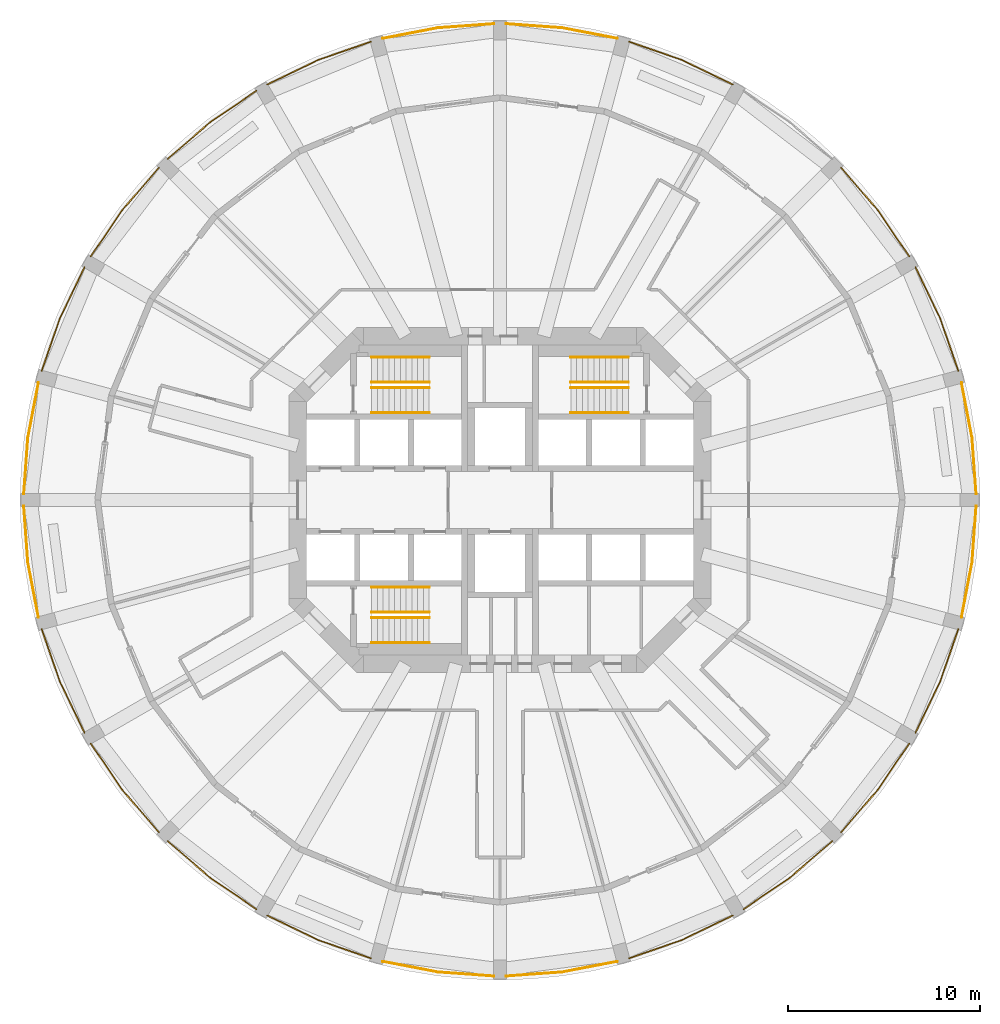
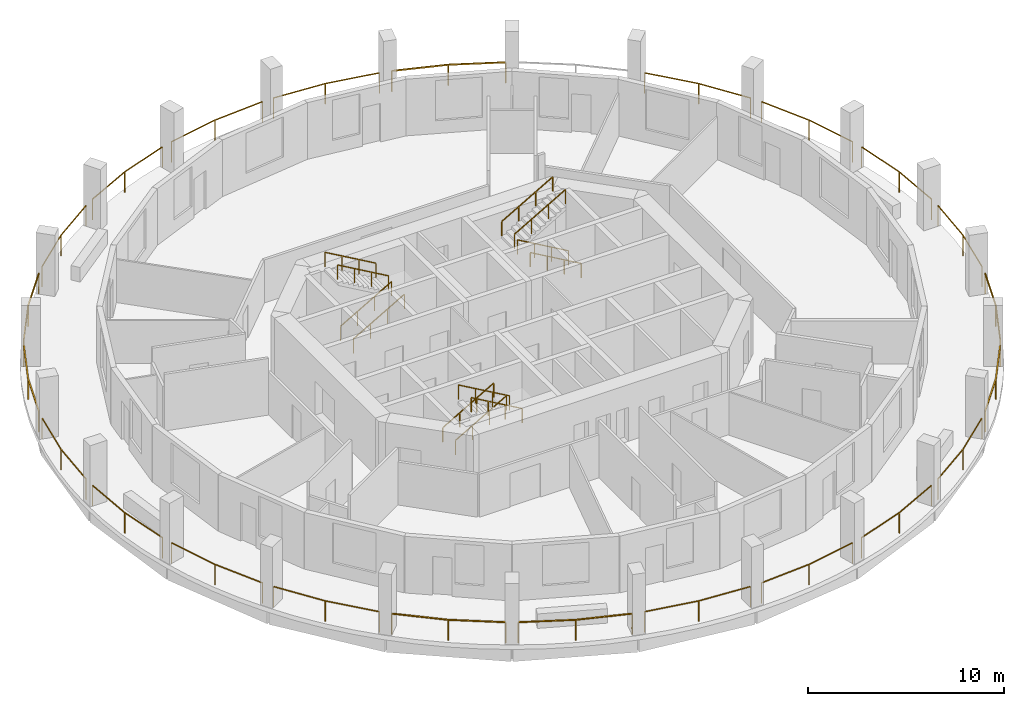
# One storey, part 7 of 8: 35 railings.
"""IFC4 building model written with IfcOpenShell, lengths in metres."""

from ifc_helpers import new_model, si_unit, direction, frame, origin, origin_2d, place, context, subcontext, project, spatial, rectangle, extrude, material, type_object, element, save


model = new_model("IFC4")

# Units and contexts
model_context = context("Model", 3, precision=1e-05, world=origin(), true_north=direction((0.0, 1.0)))
body_context = subcontext(model_context, "Body", "Model", "MODEL_VIEW")
ifc_project = project(units=[si_unit("LENGTHUNIT", "METRE"), si_unit("AREAUNIT", "SQUARE_METRE"), si_unit("VOLUMEUNIT", "CUBIC_METRE"), si_unit("PLANEANGLEUNIT", "RADIAN"), si_unit("MASSUNIT", "GRAM", prefix="KILO")], contexts=[model_context])

# Site, building, storey
site_placement = place(None, origin())
site = spatial("IfcSite", under=ifc_project, at=site_placement, CompositionType="ELEMENT")
building_placement = place(site_placement, origin())
building = spatial("IfcBuilding", under=site, at=building_placement, Name="Torre Triforio", CompositionType="ELEMENT")
storey_placement = place(building_placement, frame((0.0, 0.0, 120.0)))
storey = spatial("IfcBuildingStorey", under=building, at=storey_placement, Name="L26", CompositionType="ELEMENT", Elevation=120.0)

# Railings
ifc_material = material(Name="Stainless steel AISI 316", Category="steel")
railing_type_1 = type_object("IfcRailingType", Name="HANDRAIL 920", PredefinedType="HANDRAIL", material=ifc_material)
for number, where, name in (
    (1, (-6.699951171875, 4.550048828125, 0.172607421875), "Handrail ST1"),
    (2, (-6.699951171875, 5.85009765625, 0.172607421875), "Handrail ST1"),
):
    element("IfcRailing", number, at=place(storey_placement, frame(where)), inside=storey, type_object=railing_type_1, Name=name, PredefinedType="HANDRAIL", context=body_context, shape_type="SweptSolid", body=[
        extrude(rectangle(XDim=0.048095703125, YDim=0.048095703125, at=origin_2d()), frame((0.0, 0.0, 0.89599609375), z_axis=(0.866619684472, 0.0, 0.498969260062), x_axis=(0.0, 1.0, 0.0)), (0.0, 0.0, 1.0), 3.461669921875),
        extrude(rectangle(XDim=0.0419921875, YDim=0.0419921875, at=origin_2d()), origin(), (0.0, 0.0, 1.0), 0.871826171875),
        extrude(rectangle(XDim=0.0419921875, YDim=0.0419921875, at=origin_2d()), frame((1.0, 0.0, 0.57568359375)), (0.0, 0.0, 1.0), 0.871826171875),
        extrude(rectangle(XDim=0.0419921875, YDim=0.0419921875, at=origin_2d()), frame((2.0, 0.0, 1.151611328125)), (0.0, 0.0, 1.0), 0.871826171875),
        extrude(rectangle(XDim=0.0419921875, YDim=0.0419921875, at=origin_2d()), frame((3.0, 0.0, 1.727294921875)), (0.0, 0.0, 1.0), 0.871826171875),
    ])
for number, where, name in (
    (3, (-3.699951171875, 7.449951171875, 2.07275390625), "Handrail ST1"),
    (4, (-3.699951171875, 6.14990234375, 2.07275390625), "Handrail ST1"),
    (5, (6.699951171875, 4.550048828125, 0.172607421875), "Handrail ST2"),
    (6, (6.699951171875, 5.85009765625, 0.172607421875), "Handrail ST2"),
):
    element("IfcRailing", number, at=place(storey_placement, frame(where)), inside=storey, type_object=railing_type_1, Name=name, PredefinedType="HANDRAIL", context=body_context, shape_type="SweptSolid", body=[
        extrude(rectangle(XDim=0.048095703125, YDim=0.048095703125, at=origin_2d()), frame((0.0, 0.0, 0.89599609375), z_axis=(-0.866619684472, 0.0, 0.498969260062), x_axis=(0.0, -1.0, 0.0)), (0.0, 0.0, 1.0), 3.461669921875),
        extrude(rectangle(XDim=0.0419921875, YDim=0.0419921875, at=origin_2d()), origin(), (0.0, 0.0, 1.0), 0.871826171875),
        extrude(rectangle(XDim=0.0419921875, YDim=0.0419921875, at=origin_2d()), frame((-1.0, 0.0, 0.57568359375)), (0.0, 0.0, 1.0), 0.871826171875),
        extrude(rectangle(XDim=0.0419921875, YDim=0.0419921875, at=origin_2d()), frame((-2.0, 0.0, 1.151611328125)), (0.0, 0.0, 1.0), 0.871826171875),
        extrude(rectangle(XDim=0.0419921875, YDim=0.0419921875, at=origin_2d()), frame((-3.0, 0.0, 1.727294921875)), (0.0, 0.0, 1.0), 0.871826171875),
    ])
for number, where, name in (
    (7, (3.699951171875, 7.449951171875, 2.07275390625), "Handrail ST2"),
    (8, (3.699951171875, 6.14990234375, 2.07275390625), "Handrail ST2"),
    (9, (-6.699951171875, -4.550048828125, 0.172607421875), "Handrail ST3"),
    (10, (-6.699951171875, -5.85009765625, 0.172607421875), "Handrail ST3"),
):
    element("IfcRailing", number, at=place(storey_placement, frame(where)), inside=storey, type_object=railing_type_1, Name=name, PredefinedType="HANDRAIL", context=body_context, shape_type="SweptSolid", body=[
        extrude(rectangle(XDim=0.048095703125, YDim=0.048095703125, at=origin_2d()), frame((0.0, 0.0, 0.89599609375), z_axis=(0.866619684472, 0.0, 0.498969260062), x_axis=(0.0, 1.0, 0.0)), (0.0, 0.0, 1.0), 3.461669921875),
        extrude(rectangle(XDim=0.0419921875, YDim=0.0419921875, at=origin_2d()), origin(), (0.0, 0.0, 1.0), 0.871826171875),
        extrude(rectangle(XDim=0.0419921875, YDim=0.0419921875, at=origin_2d()), frame((1.0, 0.0, 0.57568359375)), (0.0, 0.0, 1.0), 0.871826171875),
        extrude(rectangle(XDim=0.0419921875, YDim=0.0419921875, at=origin_2d()), frame((2.0, 0.0, 1.151611328125)), (0.0, 0.0, 1.0), 0.871826171875),
        extrude(rectangle(XDim=0.0419921875, YDim=0.0419921875, at=origin_2d()), frame((3.0, 0.0, 1.727294921875)), (0.0, 0.0, 1.0), 0.871826171875),
    ])
for number, where, name in (
    (11, (-3.699951171875, -7.449951171875, 2.07275390625), "Handrail ST3"),
    (12, (-3.699951171875, -6.14990234375, 2.07275390625), "Handrail ST3"),
):
    element("IfcRailing", number, at=place(storey_placement, frame(where)), inside=storey, type_object=railing_type_1, Name=name, PredefinedType="HANDRAIL", context=body_context, shape_type="SweptSolid", body=[
        extrude(rectangle(XDim=0.048095703125, YDim=0.048095703125, at=origin_2d()), frame((0.0, 0.0, 0.89599609375), z_axis=(-0.866619684472, 0.0, 0.498969260062), x_axis=(0.0, -1.0, 0.0)), (0.0, 0.0, 1.0), 3.461669921875),
        extrude(rectangle(XDim=0.0419921875, YDim=0.0419921875, at=origin_2d()), origin(), (0.0, 0.0, 1.0), 0.871826171875),
        extrude(rectangle(XDim=0.0419921875, YDim=0.0419921875, at=origin_2d()), frame((-1.0, 0.0, 0.57568359375)), (0.0, 0.0, 1.0), 0.871826171875),
        extrude(rectangle(XDim=0.0419921875, YDim=0.0419921875, at=origin_2d()), frame((-2.0, 0.0, 1.151611328125)), (0.0, 0.0, 1.0), 0.871826171875),
        extrude(rectangle(XDim=0.0419921875, YDim=0.0419921875, at=origin_2d()), frame((-3.0, 0.0, 1.727294921875)), (0.0, 0.0, 1.0), 0.871826171875),
    ])
railing_type_2 = type_object("IfcRailingType", Name="Loggia guard 1300", PredefinedType="GUARDRAIL", material=ifc_material)
railing_1_placement = place(storey_placement, frame((24.85009765625, 0.320068359375, 0.0)))
element("IfcRailing", 13, at=railing_1_placement, inside=storey, type_object=railing_type_2, Name="Loggia guard L26 bay 01", PredefinedType="GUARDRAIL", context=body_context, shape_type="SweptSolid", body=[
    extrude(rectangle(XDim=0.050048828125, YDim=0.050048828125, at=origin_2d()), frame((0.0, 0.0, 1.27490234375), z_axis=(-0.072543227511, 0.997365269168, 0.0), x_axis=(-0.997365269168, -0.072543227511, 0.0)), (0.0, 0.0, 1.0), 2.931396484375),
    extrude(rectangle(XDim=0.050048828125, YDim=0.050048828125, at=origin_2d()), frame((-0.212646484375, 2.923583984375, 1.27490234375), z_axis=(-0.188068851895, 0.982155846568, 0.0), x_axis=(-0.982155846568, -0.188068851895, 0.0)), (0.0, 0.0, 1.0), 2.93115234375),
    extrude(rectangle(XDim=0.0400390625, YDim=0.0400390625, at=origin_2d()), origin(), (0.0, 0.0, 1.0), 1.25),
    extrude(rectangle(XDim=0.0400390625, YDim=0.0400390625, at=origin_2d()), frame((-0.212646484375, 2.923583984375, 0.0)), (0.0, 0.0, 1.0), 1.25),
    extrude(rectangle(XDim=0.0400390625, YDim=0.0400390625, at=origin_2d()), frame((-0.763916015625, 5.802490234375, 0.0)), (0.0, 0.0, 1.0), 1.25),
])
railing_2_placement = place(storey_placement, frame((23.92041015625, 6.74072265625, 0.0)))
element("IfcRailing", 14, at=railing_2_placement, inside=storey, type_object=railing_type_2, Name="Loggia guard L26 bay 02", PredefinedType="GUARDRAIL", context=body_context, shape_type="SweptSolid", body=[
    extrude(rectangle(XDim=0.050048828125, YDim=0.050048828125, at=origin_2d()), frame((0.0, 0.0, 1.27490234375), z_axis=(-0.328145883403, 0.944627058264, 0.0), x_axis=(-0.944627058264, -0.328145883403, 0.0)), (0.0, 0.0, 1.0), 2.931396484375),
    extrude(rectangle(XDim=0.050048828125, YDim=0.050048828125, at=origin_2d()), frame((-0.9619140625, 2.76904296875, 1.27490234375), z_axis=(-0.435917913275, 0.899986429279, 0.0), x_axis=(-0.899986429279, -0.435917913275, 0.0)), (0.0, 0.0, 1.0), 2.931396484375),
    extrude(rectangle(XDim=0.0400390625, YDim=0.0400390625, at=origin_2d()), origin(), (0.0, 0.0, 1.0), 1.25),
    extrude(rectangle(XDim=0.0400390625, YDim=0.0400390625, at=origin_2d()), frame((-0.9619140625, 2.76904296875, 0.0)), (0.0, 0.0, 1.0), 1.25),
    extrude(rectangle(XDim=0.0400390625, YDim=0.0400390625, at=origin_2d()), frame((-2.23974609375, 5.4072265625, 0.0)), (0.0, 0.0, 1.0), 1.25),
])
railing_3_placement = place(storey_placement, frame((21.360595703125, 12.7021484375, 0.0)))
element("IfcRailing", 15, at=railing_3_placement, inside=storey, type_object=railing_type_2, Name="Loggia guard L26 bay 03", PredefinedType="GUARDRAIL", context=body_context, shape_type="SweptSolid", body=[
    extrude(rectangle(XDim=0.050048828125, YDim=0.050048828125, at=origin_2d()), frame((0.0, 0.0, 1.27490234375), z_axis=(-0.561466791934, 0.827499269821, 0.0), x_axis=(-0.827499269821, -0.561466791934, 0.0)), (0.0, 0.0, 1.0), 2.93115234375),
    extrude(rectangle(XDim=0.050048828125, YDim=0.050048828125, at=origin_2d()), frame((-1.645751953125, 2.425537109375, 1.27490234375), z_axis=(-0.653981928353, 0.756510170049, 0.0), x_axis=(-0.756510170049, -0.653981928353, 0.0)), (0.0, 0.0, 1.0), 2.93115234375),
    extrude(rectangle(XDim=0.0400390625, YDim=0.0400390625, at=origin_2d()), origin(), (0.0, 0.0, 1.0), 1.25),
    extrude(rectangle(XDim=0.0400390625, YDim=0.0400390625, at=origin_2d()), frame((-1.645751953125, 2.425537109375, 0.0)), (0.0, 0.0, 1.0), 1.25),
    extrude(rectangle(XDim=0.0400390625, YDim=0.0400390625, at=origin_2d()), frame((-3.562744140625, 4.64306640625, 0.0)), (0.0, 0.0, 1.0), 1.25),
])
railing_4_placement = place(storey_placement, frame((12.14794921875, 21.6806640625, 0.0)))
element("IfcRailing", 16, at=railing_4_placement, inside=storey, type_object=railing_type_2, Name="Loggia guard L26 bay 05", PredefinedType="GUARDRAIL", context=body_context, shape_type="SweptSolid", body=[
    extrude(rectangle(XDim=0.050048828125, YDim=0.050048828125, at=origin_2d()), frame((0.0, 0.0, 1.27490234375), z_axis=(-0.899986429279, 0.435917913275, 0.0), x_axis=(-0.435917913275, -0.899986429279, 0.0)), (0.0, 0.0, 1.0), 2.931396484375),
    extrude(rectangle(XDim=0.050048828125, YDim=0.050048828125, at=origin_2d()), frame((-2.63818359375, 1.27783203125, 1.27490234375), z_axis=(-0.944627058264, 0.328145883403, 0.0), x_axis=(-0.328145883403, -0.944627058264, 0.0)), (0.0, 0.0, 1.0), 2.931396484375),
    extrude(rectangle(XDim=0.0400390625, YDim=0.0400390625, at=origin_2d()), origin(), (0.0, 0.0, 1.0), 1.25),
    extrude(rectangle(XDim=0.0400390625, YDim=0.0400390625, at=origin_2d()), frame((-2.63818359375, 1.27783203125, 0.0)), (0.0, 0.0, 1.0), 1.25),
    extrude(rectangle(XDim=0.0400390625, YDim=0.0400390625, at=origin_2d()), frame((-5.4072265625, 2.23974609375, 0.0)), (0.0, 0.0, 1.0), 1.25),
])
railing_5_placement = place(storey_placement, frame((6.12255859375, 24.086181640625, 0.0)))
element("IfcRailing", 17, at=railing_5_placement, inside=storey, type_object=railing_type_2, Name="Loggia guard L26 bay 06", PredefinedType="GUARDRAIL", context=body_context, shape_type="SweptSolid", body=[
    extrude(rectangle(XDim=0.050048828125, YDim=0.050048828125, at=origin_2d()), frame((0.0, 0.0, 1.27490234375), z_axis=(-0.982155846568, 0.188068851895, 0.0), x_axis=(-0.188068851895, -0.982155846568, 0.0)), (0.0, 0.0, 1.0), 2.93115234375),
    extrude(rectangle(XDim=0.050048828125, YDim=0.050048828125, at=origin_2d()), frame((-2.87890625, 0.55126953125, 1.27490234375), z_axis=(-0.997365269168, 0.072543227511, 0.0), x_axis=(-0.072543227511, -0.997365269168, 0.0)), (0.0, 0.0, 1.0), 2.931396484375),
    extrude(rectangle(XDim=0.0400390625, YDim=0.0400390625, at=origin_2d()), origin(), (0.0, 0.0, 1.0), 1.25),
    extrude(rectangle(XDim=0.0400390625, YDim=0.0400390625, at=origin_2d()), frame((-2.87890625, 0.55126953125, 0.0)), (0.0, 0.0, 1.0), 1.25),
    extrude(rectangle(XDim=0.0400390625, YDim=0.0400390625, at=origin_2d()), frame((-5.802490234375, 0.763916015625, 0.0)), (0.0, 0.0, 1.0), 1.25),
])
railing_6_placement = place(storey_placement, frame((-0.320068359375, 24.85009765625, 0.0)))
element("IfcRailing", 18, at=railing_6_placement, inside=storey, type_object=railing_type_2, Name="Loggia guard L26 bay 07", PredefinedType="GUARDRAIL", context=body_context, shape_type="SweptSolid", body=[
    extrude(rectangle(XDim=0.050048828125, YDim=0.050048828125, at=origin_2d()), frame((0.0, 0.0, 1.27490234375), z_axis=(-0.997365269168, -0.072543227511, 0.0), x_axis=(0.072543227511, -0.997365269168, 0.0)), (0.0, 0.0, 1.0), 2.931396484375),
    extrude(rectangle(XDim=0.050048828125, YDim=0.050048828125, at=origin_2d()), frame((-2.923583984375, -0.212646484375, 1.27490234375), z_axis=(-0.982155846568, -0.188068851895, 0.0), x_axis=(0.188068851895, -0.982155846568, 0.0)), (0.0, 0.0, 1.0), 2.93115234375),
    extrude(rectangle(XDim=0.0400390625, YDim=0.0400390625, at=origin_2d()), origin(), (0.0, 0.0, 1.0), 1.25),
    extrude(rectangle(XDim=0.0400390625, YDim=0.0400390625, at=origin_2d()), frame((-2.923583984375, -0.212646484375, 0.0)), (0.0, 0.0, 1.0), 1.25),
    extrude(rectangle(XDim=0.0400390625, YDim=0.0400390625, at=origin_2d()), frame((-5.802490234375, -0.763916015625, 0.0)), (0.0, 0.0, 1.0), 1.25),
])
railing_7_placement = place(storey_placement, frame((-6.74072265625, 23.92041015625, 0.0)))
element("IfcRailing", 19, at=railing_7_placement, inside=storey, type_object=railing_type_2, Name="Loggia guard L26 bay 08", PredefinedType="GUARDRAIL", context=body_context, shape_type="SweptSolid", body=[
    extrude(rectangle(XDim=0.050048828125, YDim=0.050048828125, at=origin_2d()), frame((0.0, 0.0, 1.27490234375), z_axis=(-0.944627058264, -0.328145883403, 0.0), x_axis=(0.328145883403, -0.944627058264, 0.0)), (0.0, 0.0, 1.0), 2.931396484375),
    extrude(rectangle(XDim=0.050048828125, YDim=0.050048828125, at=origin_2d()), frame((-2.76904296875, -0.9619140625, 1.27490234375), z_axis=(-0.899986429279, -0.435917913275, 0.0), x_axis=(0.435917913275, -0.899986429279, 0.0)), (0.0, 0.0, 1.0), 2.931396484375),
    extrude(rectangle(XDim=0.0400390625, YDim=0.0400390625, at=origin_2d()), origin(), (0.0, 0.0, 1.0), 1.25),
    extrude(rectangle(XDim=0.0400390625, YDim=0.0400390625, at=origin_2d()), frame((-2.76904296875, -0.9619140625, 0.0)), (0.0, 0.0, 1.0), 1.25),
    extrude(rectangle(XDim=0.0400390625, YDim=0.0400390625, at=origin_2d()), frame((-5.4072265625, -2.23974609375, 0.0)), (0.0, 0.0, 1.0), 1.25),
])
railing_8_placement = place(storey_placement, frame((-12.7021484375, 21.360595703125, 0.0)))
element("IfcRailing", 20, at=railing_8_placement, inside=storey, type_object=railing_type_2, Name="Loggia guard L26 bay 09", PredefinedType="GUARDRAIL", context=body_context, shape_type="SweptSolid", body=[
    extrude(rectangle(XDim=0.050048828125, YDim=0.050048828125, at=origin_2d()), frame((0.0, 0.0, 1.27490234375), z_axis=(-0.827499269821, -0.561466791934, 0.0), x_axis=(0.561466791934, -0.827499269821, 0.0)), (0.0, 0.0, 1.0), 2.93115234375),
    extrude(rectangle(XDim=0.050048828125, YDim=0.050048828125, at=origin_2d()), frame((-2.425537109375, -1.645751953125, 1.27490234375), z_axis=(-0.756510170049, -0.653981928353, 0.0), x_axis=(0.653981928353, -0.756510170049, 0.0)), (0.0, 0.0, 1.0), 2.93115234375),
    extrude(rectangle(XDim=0.0400390625, YDim=0.0400390625, at=origin_2d()), origin(), (0.0, 0.0, 1.0), 1.25),
    extrude(rectangle(XDim=0.0400390625, YDim=0.0400390625, at=origin_2d()), frame((-2.425537109375, -1.645751953125, 0.0)), (0.0, 0.0, 1.0), 1.25),
    extrude(rectangle(XDim=0.0400390625, YDim=0.0400390625, at=origin_2d()), frame((-4.64306640625, -3.562744140625, 0.0)), (0.0, 0.0, 1.0), 1.25),
])
railing_9_placement = place(storey_placement, frame((-17.7978515625, 17.34521484375, 0.0)))
element("IfcRailing", 21, at=railing_9_placement, inside=storey, type_object=railing_type_2, Name="Loggia guard L26 bay 10", PredefinedType="GUARDRAIL", context=body_context, shape_type="SweptSolid", body=[
    extrude(rectangle(XDim=0.050048828125, YDim=0.050048828125, at=origin_2d()), frame((0.0, 0.0, 1.27490234375), z_axis=(-0.653981928353, -0.756510170049, 0.0), x_axis=(0.756510170049, -0.653981928353, 0.0)), (0.0, 0.0, 1.0), 2.93115234375),
    extrude(rectangle(XDim=0.050048828125, YDim=0.050048828125, at=origin_2d()), frame((-1.9169921875, -2.217529296875, 1.27490234375), z_axis=(-0.561466791934, -0.827499269821, 0.0), x_axis=(0.827499269821, -0.561466791934, 0.0)), (0.0, 0.0, 1.0), 2.93115234375),
    extrude(rectangle(XDim=0.0400390625, YDim=0.0400390625, at=origin_2d()), origin(), (0.0, 0.0, 1.0), 1.25),
    extrude(rectangle(XDim=0.0400390625, YDim=0.0400390625, at=origin_2d()), frame((-1.9169921875, -2.217529296875, 0.0)), (0.0, 0.0, 1.0), 1.25),
    extrude(rectangle(XDim=0.0400390625, YDim=0.0400390625, at=origin_2d()), frame((-3.562744140625, -4.64306640625, 0.0)), (0.0, 0.0, 1.0), 1.25),
])
railing_10_placement = place(storey_placement, frame((-21.6806640625, 12.14794921875, 0.0)))
element("IfcRailing", 22, at=railing_10_placement, inside=storey, type_object=railing_type_2, Name="Loggia guard L26 bay 11", PredefinedType="GUARDRAIL", context=body_context, shape_type="SweptSolid", body=[
    extrude(rectangle(XDim=0.050048828125, YDim=0.050048828125, at=origin_2d()), frame((0.0, 0.0, 1.27490234375), z_axis=(-0.435917913275, -0.899986429279, 0.0), x_axis=(0.899986429279, -0.435917913275, 0.0)), (0.0, 0.0, 1.0), 2.931396484375),
    extrude(rectangle(XDim=0.050048828125, YDim=0.050048828125, at=origin_2d()), frame((-1.27783203125, -2.63818359375, 1.27490234375), z_axis=(-0.328145883403, -0.944627058264, 0.0), x_axis=(0.944627058264, -0.328145883403, 0.0)), (0.0, 0.0, 1.0), 2.931396484375),
    extrude(rectangle(XDim=0.0400390625, YDim=0.0400390625, at=origin_2d()), origin(), (0.0, 0.0, 1.0), 1.25),
    extrude(rectangle(XDim=0.0400390625, YDim=0.0400390625, at=origin_2d()), frame((-1.27783203125, -2.63818359375, 0.0)), (0.0, 0.0, 1.0), 1.25),
    extrude(rectangle(XDim=0.0400390625, YDim=0.0400390625, at=origin_2d()), frame((-2.23974609375, -5.4072265625, 0.0)), (0.0, 0.0, 1.0), 1.25),
])
railing_11_placement = place(storey_placement, frame((-24.086181640625, 6.12255859375, 0.0)))
element("IfcRailing", 23, at=railing_11_placement, inside=storey, type_object=railing_type_2, Name="Loggia guard L26 bay 12", PredefinedType="GUARDRAIL", context=body_context, shape_type="SweptSolid", body=[
    extrude(rectangle(XDim=0.050048828125, YDim=0.050048828125, at=origin_2d()), frame((0.0, 0.0, 1.27490234375), z_axis=(-0.188068851895, -0.982155846568, 0.0), x_axis=(0.982155846568, -0.188068851895, 0.0)), (0.0, 0.0, 1.0), 2.93115234375),
    extrude(rectangle(XDim=0.050048828125, YDim=0.050048828125, at=origin_2d()), frame((-0.55126953125, -2.87890625, 1.27490234375), z_axis=(-0.072543227511, -0.997365269168, 0.0), x_axis=(0.997365269168, -0.072543227511, 0.0)), (0.0, 0.0, 1.0), 2.931396484375),
    extrude(rectangle(XDim=0.0400390625, YDim=0.0400390625, at=origin_2d()), origin(), (0.0, 0.0, 1.0), 1.25),
    extrude(rectangle(XDim=0.0400390625, YDim=0.0400390625, at=origin_2d()), frame((-0.55126953125, -2.87890625, 0.0)), (0.0, 0.0, 1.0), 1.25),
    extrude(rectangle(XDim=0.0400390625, YDim=0.0400390625, at=origin_2d()), frame((-0.763916015625, -5.802490234375, 0.0)), (0.0, 0.0, 1.0), 1.25),
])
railing_12_placement = place(storey_placement, frame((-24.85009765625, -0.320068359375, 0.0)))
element("IfcRailing", 24, at=railing_12_placement, inside=storey, type_object=railing_type_2, Name="Loggia guard L26 bay 13", PredefinedType="GUARDRAIL", context=body_context, shape_type="SweptSolid", body=[
    extrude(rectangle(XDim=0.050048828125, YDim=0.050048828125, at=origin_2d()), frame((0.0, 0.0, 1.27490234375), z_axis=(0.072543227511, -0.997365269168, 0.0), x_axis=(0.997365269168, 0.072543227511, 0.0)), (0.0, 0.0, 1.0), 2.931396484375),
    extrude(rectangle(XDim=0.050048828125, YDim=0.050048828125, at=origin_2d()), frame((0.212646484375, -2.923583984375, 1.27490234375), z_axis=(0.188068851895, -0.982155846568, 0.0), x_axis=(0.982155846568, 0.188068851895, 0.0)), (0.0, 0.0, 1.0), 2.93115234375),
    extrude(rectangle(XDim=0.0400390625, YDim=0.0400390625, at=origin_2d()), origin(), (0.0, 0.0, 1.0), 1.25),
    extrude(rectangle(XDim=0.0400390625, YDim=0.0400390625, at=origin_2d()), frame((0.212646484375, -2.923583984375, 0.0)), (0.0, 0.0, 1.0), 1.25),
    extrude(rectangle(XDim=0.0400390625, YDim=0.0400390625, at=origin_2d()), frame((0.763916015625, -5.802490234375, 0.0)), (0.0, 0.0, 1.0), 1.25),
])
railing_13_placement = place(storey_placement, frame((-23.92041015625, -6.74072265625, 0.0)))
element("IfcRailing", 25, at=railing_13_placement, inside=storey, type_object=railing_type_2, Name="Loggia guard L26 bay 14", PredefinedType="GUARDRAIL", context=body_context, shape_type="SweptSolid", body=[
    extrude(rectangle(XDim=0.050048828125, YDim=0.050048828125, at=origin_2d()), frame((0.0, 0.0, 1.27490234375), z_axis=(0.328145883403, -0.944627058264, 0.0), x_axis=(0.944627058264, 0.328145883403, 0.0)), (0.0, 0.0, 1.0), 2.931396484375),
    extrude(rectangle(XDim=0.050048828125, YDim=0.050048828125, at=origin_2d()), frame((0.9619140625, -2.76904296875, 1.27490234375), z_axis=(0.435917913275, -0.899986429279, 0.0), x_axis=(0.899986429279, 0.435917913275, 0.0)), (0.0, 0.0, 1.0), 2.931396484375),
    extrude(rectangle(XDim=0.0400390625, YDim=0.0400390625, at=origin_2d()), origin(), (0.0, 0.0, 1.0), 1.25),
    extrude(rectangle(XDim=0.0400390625, YDim=0.0400390625, at=origin_2d()), frame((0.9619140625, -2.76904296875, 0.0)), (0.0, 0.0, 1.0), 1.25),
    extrude(rectangle(XDim=0.0400390625, YDim=0.0400390625, at=origin_2d()), frame((2.23974609375, -5.4072265625, 0.0)), (0.0, 0.0, 1.0), 1.25),
])
railing_14_placement = place(storey_placement, frame((-21.360595703125, -12.7021484375, 0.0)))
element("IfcRailing", 26, at=railing_14_placement, inside=storey, type_object=railing_type_2, Name="Loggia guard L26 bay 15", PredefinedType="GUARDRAIL", context=body_context, shape_type="SweptSolid", body=[
    extrude(rectangle(XDim=0.050048828125, YDim=0.050048828125, at=origin_2d()), frame((0.0, 0.0, 1.27490234375), z_axis=(0.561466791934, -0.827499269821, 0.0), x_axis=(0.827499269821, 0.561466791934, 0.0)), (0.0, 0.0, 1.0), 2.93115234375),
    extrude(rectangle(XDim=0.050048828125, YDim=0.050048828125, at=origin_2d()), frame((1.645751953125, -2.425537109375, 1.27490234375), z_axis=(0.653981928353, -0.756510170049, 0.0), x_axis=(0.756510170049, 0.653981928353, 0.0)), (0.0, 0.0, 1.0), 2.93115234375),
    extrude(rectangle(XDim=0.0400390625, YDim=0.0400390625, at=origin_2d()), origin(), (0.0, 0.0, 1.0), 1.25),
    extrude(rectangle(XDim=0.0400390625, YDim=0.0400390625, at=origin_2d()), frame((1.645751953125, -2.425537109375, 0.0)), (0.0, 0.0, 1.0), 1.25),
    extrude(rectangle(XDim=0.0400390625, YDim=0.0400390625, at=origin_2d()), frame((3.562744140625, -4.64306640625, 0.0)), (0.0, 0.0, 1.0), 1.25),
])
railing_15_placement = place(storey_placement, frame((-17.34521484375, -17.7978515625, 0.0)))
element("IfcRailing", 27, at=railing_15_placement, inside=storey, type_object=railing_type_2, Name="Loggia guard L26 bay 16", PredefinedType="GUARDRAIL", context=body_context, shape_type="SweptSolid", body=[
    extrude(rectangle(XDim=0.050048828125, YDim=0.050048828125, at=origin_2d()), frame((0.0, 0.0, 1.27490234375), z_axis=(0.756510170049, -0.653981928353, 0.0), x_axis=(0.653981928353, 0.756510170049, 0.0)), (0.0, 0.0, 1.0), 2.93115234375),
    extrude(rectangle(XDim=0.050048828125, YDim=0.050048828125, at=origin_2d()), frame((2.217529296875, -1.9169921875, 1.27490234375), z_axis=(0.827499269821, -0.561466791934, 0.0), x_axis=(0.561466791934, 0.827499269821, 0.0)), (0.0, 0.0, 1.0), 2.93115234375),
    extrude(rectangle(XDim=0.0400390625, YDim=0.0400390625, at=origin_2d()), origin(), (0.0, 0.0, 1.0), 1.25),
    extrude(rectangle(XDim=0.0400390625, YDim=0.0400390625, at=origin_2d()), frame((2.217529296875, -1.9169921875, 0.0)), (0.0, 0.0, 1.0), 1.25),
    extrude(rectangle(XDim=0.0400390625, YDim=0.0400390625, at=origin_2d()), frame((4.64306640625, -3.562744140625, 0.0)), (0.0, 0.0, 1.0), 1.25),
])
railing_16_placement = place(storey_placement, frame((-12.14794921875, -21.6806640625, 0.0)))
element("IfcRailing", 28, at=railing_16_placement, inside=storey, type_object=railing_type_2, Name="Loggia guard L26 bay 17", PredefinedType="GUARDRAIL", context=body_context, shape_type="SweptSolid", body=[
    extrude(rectangle(XDim=0.050048828125, YDim=0.050048828125, at=origin_2d()), frame((0.0, 0.0, 1.27490234375), z_axis=(0.899986429279, -0.435917913275, 0.0), x_axis=(0.435917913275, 0.899986429279, 0.0)), (0.0, 0.0, 1.0), 2.931396484375),
    extrude(rectangle(XDim=0.050048828125, YDim=0.050048828125, at=origin_2d()), frame((2.63818359375, -1.27783203125, 1.27490234375), z_axis=(0.944627058264, -0.328145883403, 0.0), x_axis=(0.328145883403, 0.944627058264, 0.0)), (0.0, 0.0, 1.0), 2.931396484375),
    extrude(rectangle(XDim=0.0400390625, YDim=0.0400390625, at=origin_2d()), origin(), (0.0, 0.0, 1.0), 1.25),
    extrude(rectangle(XDim=0.0400390625, YDim=0.0400390625, at=origin_2d()), frame((2.63818359375, -1.27783203125, 0.0)), (0.0, 0.0, 1.0), 1.25),
    extrude(rectangle(XDim=0.0400390625, YDim=0.0400390625, at=origin_2d()), frame((5.4072265625, -2.23974609375, 0.0)), (0.0, 0.0, 1.0), 1.25),
])
railing_17_placement = place(storey_placement, frame((-6.12255859375, -24.086181640625, 0.0)))
element("IfcRailing", 29, at=railing_17_placement, inside=storey, type_object=railing_type_2, Name="Loggia guard L26 bay 18", PredefinedType="GUARDRAIL", context=body_context, shape_type="SweptSolid", body=[
    extrude(rectangle(XDim=0.050048828125, YDim=0.050048828125, at=origin_2d()), frame((0.0, 0.0, 1.27490234375), z_axis=(0.982155846568, -0.188068851895, 0.0), x_axis=(0.188068851895, 0.982155846568, 0.0)), (0.0, 0.0, 1.0), 2.93115234375),
    extrude(rectangle(XDim=0.050048828125, YDim=0.050048828125, at=origin_2d()), frame((2.87890625, -0.55126953125, 1.27490234375), z_axis=(0.997365269168, -0.072543227511, 0.0), x_axis=(0.072543227511, 0.997365269168, 0.0)), (0.0, 0.0, 1.0), 2.931396484375),
    extrude(rectangle(XDim=0.0400390625, YDim=0.0400390625, at=origin_2d()), origin(), (0.0, 0.0, 1.0), 1.25),
    extrude(rectangle(XDim=0.0400390625, YDim=0.0400390625, at=origin_2d()), frame((2.87890625, -0.55126953125, 0.0)), (0.0, 0.0, 1.0), 1.25),
    extrude(rectangle(XDim=0.0400390625, YDim=0.0400390625, at=origin_2d()), frame((5.802490234375, -0.763916015625, 0.0)), (0.0, 0.0, 1.0), 1.25),
])
railing_18_placement = place(storey_placement, frame((0.320068359375, -24.85009765625, 0.0)))
element("IfcRailing", 30, at=railing_18_placement, inside=storey, type_object=railing_type_2, Name="Loggia guard L26 bay 19", PredefinedType="GUARDRAIL", context=body_context, shape_type="SweptSolid", body=[
    extrude(rectangle(XDim=0.050048828125, YDim=0.050048828125, at=origin_2d()), frame((0.0, 0.0, 1.27490234375), z_axis=(0.997365269168, 0.072543227511, 0.0), x_axis=(-0.072543227511, 0.997365269168, 0.0)), (0.0, 0.0, 1.0), 2.931396484375),
    extrude(rectangle(XDim=0.050048828125, YDim=0.050048828125, at=origin_2d()), frame((2.923583984375, 0.212646484375, 1.27490234375), z_axis=(0.982155846568, 0.188068851895, 0.0), x_axis=(-0.188068851895, 0.982155846568, 0.0)), (0.0, 0.0, 1.0), 2.93115234375),
    extrude(rectangle(XDim=0.0400390625, YDim=0.0400390625, at=origin_2d()), origin(), (0.0, 0.0, 1.0), 1.25),
    extrude(rectangle(XDim=0.0400390625, YDim=0.0400390625, at=origin_2d()), frame((2.923583984375, 0.212646484375, 0.0)), (0.0, 0.0, 1.0), 1.25),
    extrude(rectangle(XDim=0.0400390625, YDim=0.0400390625, at=origin_2d()), frame((5.802490234375, 0.763916015625, 0.0)), (0.0, 0.0, 1.0), 1.25),
])
railing_19_placement = place(storey_placement, frame((6.74072265625, -23.92041015625, 0.0)))
element("IfcRailing", 31, at=railing_19_placement, inside=storey, type_object=railing_type_2, Name="Loggia guard L26 bay 20", PredefinedType="GUARDRAIL", context=body_context, shape_type="SweptSolid", body=[
    extrude(rectangle(XDim=0.050048828125, YDim=0.050048828125, at=origin_2d()), frame((0.0, 0.0, 1.27490234375), z_axis=(0.944627058264, 0.328145883403, 0.0), x_axis=(-0.328145883403, 0.944627058264, 0.0)), (0.0, 0.0, 1.0), 2.931396484375),
    extrude(rectangle(XDim=0.050048828125, YDim=0.050048828125, at=origin_2d()), frame((2.76904296875, 0.9619140625, 1.27490234375), z_axis=(0.899986429279, 0.435917913275, 0.0), x_axis=(-0.435917913275, 0.899986429279, 0.0)), (0.0, 0.0, 1.0), 2.931396484375),
    extrude(rectangle(XDim=0.0400390625, YDim=0.0400390625, at=origin_2d()), origin(), (0.0, 0.0, 1.0), 1.25),
    extrude(rectangle(XDim=0.0400390625, YDim=0.0400390625, at=origin_2d()), frame((2.76904296875, 0.9619140625, 0.0)), (0.0, 0.0, 1.0), 1.25),
    extrude(rectangle(XDim=0.0400390625, YDim=0.0400390625, at=origin_2d()), frame((5.4072265625, 2.23974609375, 0.0)), (0.0, 0.0, 1.0), 1.25),
])
railing_20_placement = place(storey_placement, frame((12.7021484375, -21.360595703125, 0.0)))
element("IfcRailing", 32, at=railing_20_placement, inside=storey, type_object=railing_type_2, Name="Loggia guard L26 bay 21", PredefinedType="GUARDRAIL", context=body_context, shape_type="SweptSolid", body=[
    extrude(rectangle(XDim=0.050048828125, YDim=0.050048828125, at=origin_2d()), frame((0.0, 0.0, 1.27490234375), z_axis=(0.827499269821, 0.561466791934, 0.0), x_axis=(-0.561466791934, 0.827499269821, 0.0)), (0.0, 0.0, 1.0), 2.93115234375),
    extrude(rectangle(XDim=0.050048828125, YDim=0.050048828125, at=origin_2d()), frame((2.425537109375, 1.645751953125, 1.27490234375), z_axis=(0.756510170049, 0.653981928353, 0.0), x_axis=(-0.653981928353, 0.756510170049, 0.0)), (0.0, 0.0, 1.0), 2.93115234375),
    extrude(rectangle(XDim=0.0400390625, YDim=0.0400390625, at=origin_2d()), origin(), (0.0, 0.0, 1.0), 1.25),
    extrude(rectangle(XDim=0.0400390625, YDim=0.0400390625, at=origin_2d()), frame((2.425537109375, 1.645751953125, 0.0)), (0.0, 0.0, 1.0), 1.25),
    extrude(rectangle(XDim=0.0400390625, YDim=0.0400390625, at=origin_2d()), frame((4.64306640625, 3.562744140625, 0.0)), (0.0, 0.0, 1.0), 1.25),
])
railing_21_placement = place(storey_placement, frame((17.7978515625, -17.34521484375, 0.0)))
element("IfcRailing", 33, at=railing_21_placement, inside=storey, type_object=railing_type_2, Name="Loggia guard L26 bay 22", PredefinedType="GUARDRAIL", context=body_context, shape_type="SweptSolid", body=[
    extrude(rectangle(XDim=0.050048828125, YDim=0.050048828125, at=origin_2d()), frame((0.0, 0.0, 1.27490234375), z_axis=(0.653981928353, 0.756510170049, 0.0), x_axis=(-0.756510170049, 0.653981928353, 0.0)), (0.0, 0.0, 1.0), 2.93115234375),
    extrude(rectangle(XDim=0.050048828125, YDim=0.050048828125, at=origin_2d()), frame((1.9169921875, 2.217529296875, 1.27490234375), z_axis=(0.561466791934, 0.827499269821, 0.0), x_axis=(-0.827499269821, 0.561466791934, 0.0)), (0.0, 0.0, 1.0), 2.93115234375),
    extrude(rectangle(XDim=0.0400390625, YDim=0.0400390625, at=origin_2d()), origin(), (0.0, 0.0, 1.0), 1.25),
    extrude(rectangle(XDim=0.0400390625, YDim=0.0400390625, at=origin_2d()), frame((1.9169921875, 2.217529296875, 0.0)), (0.0, 0.0, 1.0), 1.25),
    extrude(rectangle(XDim=0.0400390625, YDim=0.0400390625, at=origin_2d()), frame((3.562744140625, 4.64306640625, 0.0)), (0.0, 0.0, 1.0), 1.25),
])
railing_22_placement = place(storey_placement, frame((21.6806640625, -12.14794921875, 0.0)))
element("IfcRailing", 34, at=railing_22_placement, inside=storey, type_object=railing_type_2, Name="Loggia guard L26 bay 23", PredefinedType="GUARDRAIL", context=body_context, shape_type="SweptSolid", body=[
    extrude(rectangle(XDim=0.050048828125, YDim=0.050048828125, at=origin_2d()), frame((0.0, 0.0, 1.27490234375), z_axis=(0.435917913275, 0.899986429279, 0.0), x_axis=(-0.899986429279, 0.435917913275, 0.0)), (0.0, 0.0, 1.0), 2.931396484375),
    extrude(rectangle(XDim=0.050048828125, YDim=0.050048828125, at=origin_2d()), frame((1.27783203125, 2.63818359375, 1.27490234375), z_axis=(0.328145883403, 0.944627058264, 0.0), x_axis=(-0.944627058264, 0.328145883403, 0.0)), (0.0, 0.0, 1.0), 2.931396484375),
    extrude(rectangle(XDim=0.0400390625, YDim=0.0400390625, at=origin_2d()), origin(), (0.0, 0.0, 1.0), 1.25),
    extrude(rectangle(XDim=0.0400390625, YDim=0.0400390625, at=origin_2d()), frame((1.27783203125, 2.63818359375, 0.0)), (0.0, 0.0, 1.0), 1.25),
    extrude(rectangle(XDim=0.0400390625, YDim=0.0400390625, at=origin_2d()), frame((2.23974609375, 5.4072265625, 0.0)), (0.0, 0.0, 1.0), 1.25),
])
railing_23_placement = place(storey_placement, frame((24.086181640625, -6.12255859375, 0.0)))
element("IfcRailing", 35, at=railing_23_placement, inside=storey, type_object=railing_type_2, Name="Loggia guard L26 bay 24", PredefinedType="GUARDRAIL", context=body_context, shape_type="SweptSolid", body=[
    extrude(rectangle(XDim=0.050048828125, YDim=0.050048828125, at=origin_2d()), frame((0.0, 0.0, 1.27490234375), z_axis=(0.188068851895, 0.982155846568, 0.0), x_axis=(-0.982155846568, 0.188068851895, 0.0)), (0.0, 0.0, 1.0), 2.93115234375),
    extrude(rectangle(XDim=0.050048828125, YDim=0.050048828125, at=origin_2d()), frame((0.55126953125, 2.87890625, 1.27490234375), z_axis=(0.072543227511, 0.997365269168, 0.0), x_axis=(-0.997365269168, 0.072543227511, 0.0)), (0.0, 0.0, 1.0), 2.931396484375),
    extrude(rectangle(XDim=0.0400390625, YDim=0.0400390625, at=origin_2d()), origin(), (0.0, 0.0, 1.0), 1.25),
    extrude(rectangle(XDim=0.0400390625, YDim=0.0400390625, at=origin_2d()), frame((0.55126953125, 2.87890625, 0.0)), (0.0, 0.0, 1.0), 1.25),
    extrude(rectangle(XDim=0.0400390625, YDim=0.0400390625, at=origin_2d()), frame((0.763916015625, 5.802490234375, 0.0)), (0.0, 0.0, 1.0), 1.25),
])

save(model, "model.ifc")
